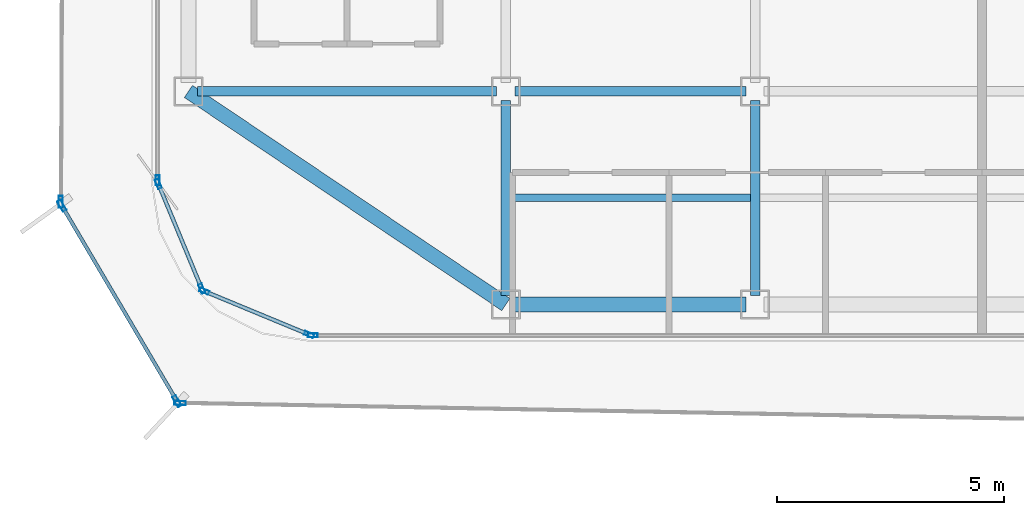
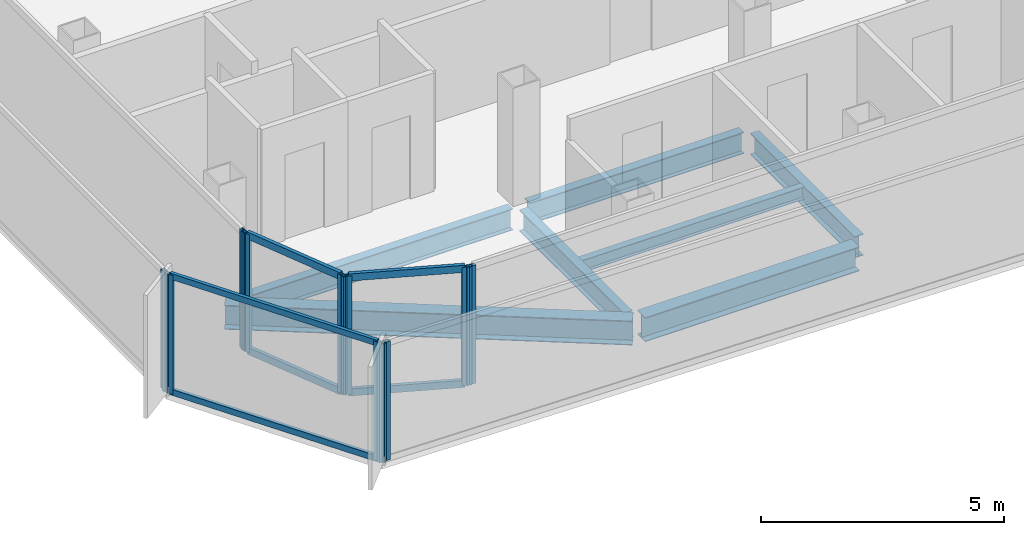
# One storey, part 2 of 15: 16 members, 7 beams, 7 elements without a shape of their own.
"""IFC4 building model written with IfcOpenShell, lengths in metres."""

from ifc_helpers import new_model, si_unit, direction, frame, origin, origin_2d, place, context, subcontext, project, spatial, hollow_rectangle, i_section, extrude, source, transform, mapped, material, layer, layer_set, material_profile, profile_set, type_object, element, aggregate, save


model = new_model("IFC4")

# Units and contexts
model_context = context("Model", 3, precision=1e-05, world=origin(), true_north=direction((0.0, 1.0)))
body_context = subcontext(model_context, "Body", "Model", "MODEL_VIEW")
ifc_project = project(units=[si_unit("LENGTHUNIT", "METRE"), si_unit("AREAUNIT", "SQUARE_METRE"), si_unit("VOLUMEUNIT", "CUBIC_METRE"), si_unit("PLANEANGLEUNIT", "RADIAN"), si_unit("MASSUNIT", "GRAM", prefix="KILO")], contexts=[model_context])

# Site, building, storey
site_placement = place(None, origin())
site = spatial("IfcSite", under=ifc_project, at=site_placement, CompositionType="ELEMENT")
building_placement = place(site_placement, origin())
building = spatial("IfcBuilding", under=site, at=building_placement, Name="Kolveth Station Tower", CompositionType="ELEMENT")
storey_placement = place(building_placement, frame((0.0, 0.0, 242.5)))
storey = spatial("IfcBuildingStorey", under=building, at=storey_placement, Name="L69", CompositionType="ELEMENT", Elevation=242.5)

# Beams
ifc_material_1 = material(Name="Steel S355", Category="steel")
ifc_material_profile_1 = material_profile(ifc_material_1, i_section(OverallWidth=0.323974609375, OverallDepth=0.611083984375, WebThickness=0.0126953125, FlangeThickness=0.01904296875, at=origin_2d()), Name="W610x155")
ifc_profile_set_1 = profile_set([ifc_material_profile_1], Name="Steel S355")
beam_type_1 = type_object("IfcBeamType", Name="Beam_SP2", PredefinedType="SPANDREL", material=ifc_profile_set_1)
shared_shape_1 = source(origin(), body_context, "Body", "SweptSolid", [
    extrude(i_section(OverallWidth=0.323974609375, OverallDepth=0.611083984375, WebThickness=0.0126953125, FlangeThickness=0.01904296875, at=origin_2d()), origin(), (0.0, 0.0, 1.0), 8.431396484375),
])
beam_1_placement = place(storey_placement, frame((6.0, 5.5, -0.525390625), z_axis=(0.830223811004, -0.557430196206, 0.0), x_axis=(0.557430196206, 0.830223811004, 0.0)))
element("IfcBeam", 1, at=beam_1_placement, inside=storey, type_object=beam_type_1, Name="L69 Corner Edge Girder BM-L69-CNR-SW", PredefinedType="SPANDREL", context=body_context, shape_type="MappedRepresentation", body=[
    mapped(shared_shape_1, transform((0.0, 0.0, 0.0), x_axis=(1.0, 0.0, 0.0), y_axis=(0.0, 1.0, 0.0), z_axis=(0.0, 0.0, 1.0), scale=1.0)),
])
shared_shape_2 = source(origin(), body_context, "Body", "SweptSolid", [
    extrude(i_section(OverallWidth=0.323974609375, OverallDepth=0.611083984375, WebThickness=0.0126953125, FlangeThickness=0.01904296875, at=origin_2d()), origin(), (0.0, 0.0, 1.0), 5.10009765625),
])
beam_2_placement = place(storey_placement, frame((13.199951171875, 0.800048828125, -0.525390625), z_axis=(1.0, 0.0, 0.0), x_axis=(0.0, 1.0, 0.0)))
element("IfcBeam", 2, at=beam_2_placement, inside=storey, type_object=beam_type_1, Name="L69 Perimeter Spandrel BM-L69-PS-1", PredefinedType="SPANDREL", context=body_context, shape_type="MappedRepresentation", body=[
    mapped(shared_shape_2, transform((0.0, 0.0, 0.0), x_axis=(1.0, 0.0, 0.0), y_axis=(0.0, 1.0, 0.0), z_axis=(0.0, 0.0, 1.0), scale=1.0)),
])
ifc_material_profile_2 = material_profile(ifc_material_1, i_section(OverallWidth=0.2099609375, OverallDepth=0.537109375, WebThickness=0.010986328125, FlangeThickness=0.017333984375, at=origin_2d()), Name="W530x101")
ifc_profile_set_2 = profile_set([ifc_material_profile_2], Name="Steel S355")
beam_type_2 = type_object("IfcBeamType", Name="Beam_B6", PredefinedType="BEAM", material=ifc_profile_set_2)
shared_shape_3 = source(origin(), body_context, "Body", "SweptSolid", [
    extrude(i_section(OverallWidth=0.2099609375, OverallDepth=0.537109375, WebThickness=0.010986328125, FlangeThickness=0.017333984375, at=origin_2d()), origin(), (0.0, 0.0, 1.0), 6.60009765625),
])
beam_3_placement = place(storey_placement, frame((6.199951171875, 5.5, -0.488525390625), z_axis=(1.0, 0.0, 0.0), x_axis=(0.0, 1.0, 0.0)))
element("IfcBeam", 3, at=beam_3_placement, inside=storey, type_object=beam_type_2, Name="L69 Primary Girder BM-L69-GY55-1", PredefinedType="BEAM", context=body_context, shape_type="MappedRepresentation", body=[
    mapped(shared_shape_3, transform((0.0, 0.0, 0.0), x_axis=(1.0, 0.0, 0.0), y_axis=(0.0, 1.0, 0.0), z_axis=(0.0, 0.0, 1.0), scale=1.0)),
])
shared_shape_4 = source(origin(), body_context, "Body", "SweptSolid", [
    extrude(i_section(OverallWidth=0.2099609375, OverallDepth=0.537109375, WebThickness=0.010986328125, FlangeThickness=0.017333984375, at=origin_2d()), origin(), (0.0, 0.0, 1.0), 5.10009765625),
])
beam_4_placement = place(storey_placement, frame((13.199951171875, 5.5, -0.488525390625), z_axis=(1.0, 0.0, 0.0), x_axis=(0.0, 1.0, 0.0)))
element("IfcBeam", 4, at=beam_4_placement, inside=storey, type_object=beam_type_2, Name="L69 Primary Girder BM-L69-GY55-2", PredefinedType="BEAM", context=body_context, shape_type="MappedRepresentation", body=[
    mapped(shared_shape_4, transform((0.0, 0.0, 0.0), x_axis=(1.0, 0.0, 0.0), y_axis=(0.0, 1.0, 0.0), z_axis=(0.0, 0.0, 1.0), scale=1.0)),
])
shared_shape_5 = source(origin(), body_context, "Body", "SweptSolid", [
    extrude(i_section(OverallWidth=0.2099609375, OverallDepth=0.537109375, WebThickness=0.010986328125, FlangeThickness=0.017333984375, at=origin_2d()), origin(), (0.0, 0.0, 1.0), 4.300048828125),
])
for number, where, z_axis, x_axis, name in (
    (5, (13.0, 1.0, -0.488525390625), (0.0, 1.0, 0.0), (-1.0, 0.0, 0.0), "L69 Primary Girder BM-L69-GX130-1"),
    (6, (18.5, 1.0, -0.488525390625), (0.0, 1.0, 0.0), (-1.0, 0.0, 0.0), "L69 Primary Girder BM-L69-GX185-1"),
):
    element("IfcBeam", number, at=place(storey_placement, frame(where, z_axis=z_axis, x_axis=x_axis)), inside=storey, type_object=beam_type_2, Name=name, PredefinedType="BEAM", context=body_context, shape_type="MappedRepresentation", body=[
        mapped(shared_shape_5, transform((0.0, 0.0, 0.0), x_axis=(1.0, 0.0, 0.0), y_axis=(0.0, 1.0, 0.0), z_axis=(0.0, 0.0, 1.0), scale=1.0)),
    ])
ifc_material_profile_3 = material_profile(ifc_material_1, i_section(OverallWidth=0.1650390625, OverallDepth=0.31005859375, WebThickness=0.005859375, FlangeThickness=0.009765625, at=origin_2d()), Name="W310x39")
ifc_profile_set_3 = profile_set([ifc_material_profile_3], Name="Steel S355")
beam_type_3 = type_object("IfcBeamType", Name="Beam_J3", PredefinedType="JOIST", material=ifc_profile_set_3)
shared_shape_6 = source(origin(), body_context, "Body", "SweptSolid", [
    extrude(i_section(OverallWidth=0.1650390625, OverallDepth=0.31005859375, WebThickness=0.005859375, FlangeThickness=0.009765625, at=origin_2d()), origin(), (0.0, 0.0, 1.0), 5.2939453125),
])
beam_5_placement = place(storey_placement, frame((13.10302734375, 3.14990234375, -0.375), z_axis=(1.0, 0.0, 0.0), x_axis=(0.0, 1.0, 0.0)))
element("IfcBeam", 7, at=beam_5_placement, inside=storey, type_object=beam_type_3, Name="L69 Secondary Joist JST-L69-2-1", PredefinedType="JOIST", context=body_context, shape_type="MappedRepresentation", body=[
    mapped(shared_shape_6, transform((0.0, 0.0, 0.0), x_axis=(1.0, 0.0, 0.0), y_axis=(0.0, 1.0, 0.0), z_axis=(0.0, 0.0, 1.0), scale=1.0)),
])

# Curtain wall, member
ifc_material_2 = material(Name="Black anodized aluminium 6063-T6 and dark solar glass", Category="aluminium")
ifc_layer_1 = layer(ifc_material_2, 0.159912109375)
ifc_layer_set_1 = layer_set([ifc_layer_1], Name="Black anodized aluminium 6063-T6 and dark solar glass")
curtain_wall_type_1 = type_object("IfcCurtainWallType", Name="OUTER SKIN CW-OS", PredefinedType="NOTDEFINED", material=ifc_layer_set_1)
curtain_wall_1_placement = place(storey_placement, origin())
curtain_wall_1 = element("IfcCurtainWall", 8, at=curtain_wall_1_placement, inside=storey, type_object=curtain_wall_type_1, Name="L69 Outer Ventilated Skin Curtain Wall 6", PredefinedType="NOTDEFINED")
ifc_material_3 = material(Name="Black anodized aluminium 6063-T6", Category="aluminium")
ifc_material_profile_4 = material_profile(ifc_material_3, hollow_rectangle(XDim=0.090087890625, YDim=0.260009765625, WallThickness=0.0048828125, at=origin_2d()), Name="ALU-90x260x5")
ifc_profile_set_4 = profile_set([ifc_material_profile_4], Name="Black anodized aluminium 6063-T6")
member_type_1 = type_object("IfcMemberType", Name="FIN MULLION ML-OS", PredefinedType="MULLION", material=ifc_profile_set_4)
shared_shape_7 = source(origin(), body_context, "Body", "SweptSolid", [
    extrude(hollow_rectangle(XDim=0.090087890625, YDim=0.260009765625, WallThickness=0.0048828125, at=origin_2d()), origin(), (0.0, 0.0, 1.0), 2.989990234375),
])
member_1_placement = place(storey_placement, frame((3.18359375, 3.064697265625, 0.0), z_axis=(0.0, 0.0, 1.0), x_axis=(0.999991741337, -0.004064142908, 0.0)))
member_1 = element("IfcMember", 9, at=member_1_placement, type_object=member_type_1, Name="CW-OS mullion 2", PredefinedType="MULLION", context=body_context, shape_type="MappedRepresentation", body=[
    mapped(shared_shape_7, transform((0.0, 0.0, 0.0), x_axis=(1.0, 0.0, 0.0), y_axis=(0.0, 1.0, 0.0), z_axis=(0.0, 0.0, 1.0), scale=1.0)),
])
aggregate(curtain_wall_1, [member_1])

# Curtain wall, members
curtain_wall_2_placement = place(storey_placement, origin())
curtain_wall_2 = element("IfcCurtainWall", 10, at=curtain_wall_2_placement, inside=storey, type_object=curtain_wall_type_1, Name="L69 Outer Ventilated Skin Curtain Wall 7", PredefinedType="NOTDEFINED")
member_2_placement = place(storey_placement, frame((3.206298828125, 2.980712890625, 0.0), z_axis=(0.0, 0.0, 1.0), x_axis=(0.861672355657, 0.507465024899, 0.0)))
member_2 = element("IfcMember", 11, at=member_2_placement, type_object=member_type_1, Name="CW-OS mullion 1", PredefinedType="MULLION", context=body_context, shape_type="MappedRepresentation", body=[
    mapped(shared_shape_7, transform((0.0, 0.0, 0.0), x_axis=(1.0, 0.0, 0.0), y_axis=(0.0, 1.0, 0.0), z_axis=(0.0, 0.0, 1.0), scale=1.0)),
])
member_3_placement = place(storey_placement, frame((5.747314453125, -1.333740234375, 0.0), z_axis=(0.0, 0.0, 1.0), x_axis=(0.861672355657, 0.507465024899, 0.0)))
member_3 = element("IfcMember", 12, at=member_3_placement, type_object=member_type_1, Name="CW-OS mullion 2", PredefinedType="MULLION", context=body_context, shape_type="MappedRepresentation", body=[
    mapped(shared_shape_7, transform((0.0, 0.0, 0.0), x_axis=(1.0, 0.0, 0.0), y_axis=(0.0, 1.0, 0.0), z_axis=(0.0, 0.0, 1.0), scale=1.0)),
])

# Curtain wall, member
curtain_wall_3_placement = place(storey_placement, origin())
curtain_wall_3 = element("IfcCurtainWall", 13, at=curtain_wall_3_placement, inside=storey, type_object=curtain_wall_type_1, Name="L69 Outer Ventilated Skin Curtain Wall 8", PredefinedType="NOTDEFINED")
member_4_placement = place(storey_placement, frame((5.815185546875, -1.37353515625, 0.0), z_axis=(0.0, 0.0, 1.0), x_axis=(0.018787243741, 0.999823504161, 0.0)))
member_4 = element("IfcMember", 14, at=member_4_placement, type_object=member_type_1, Name="CW-OS mullion 1", PredefinedType="MULLION", context=body_context, shape_type="MappedRepresentation", body=[
    mapped(shared_shape_7, transform((0.0, 0.0, 0.0), x_axis=(1.0, 0.0, 0.0), y_axis=(0.0, 1.0, 0.0), z_axis=(0.0, 0.0, 1.0), scale=1.0)),
])
aggregate(curtain_wall_3, [member_4])

ifc_material_4 = material(Name="Aluminium 6063-T6 and triple low-E dark glass", Category="aluminium")
ifc_layer_2 = layer(ifc_material_4, 0.199951171875)
ifc_layer_set_2 = layer_set([ifc_layer_2], Name="Aluminium 6063-T6 and triple low-E dark glass")
curtain_wall_type_2 = type_object("IfcCurtainWallType", Name="CurtainWall_CW-Z3", PredefinedType="NOTDEFINED", material=ifc_layer_set_2)
curtain_wall_4_placement = place(storey_placement, origin())
curtain_wall_4 = element("IfcCurtainWall", 15, at=curtain_wall_4_placement, inside=storey, type_object=curtain_wall_type_2, Name="L69 Inner Thermal Curtain Wall 9", PredefinedType="NOTDEFINED")
ifc_material_profile_5 = material_profile(ifc_material_3, hollow_rectangle(XDim=0.0849609375, YDim=0.215087890625, WallThickness=0.0048828125, at=origin_2d()), Name="ALU-85x215x5")
ifc_profile_set_5 = profile_set([ifc_material_profile_5], Name="Black anodized aluminium 6063-T6")
member_type_2 = type_object("IfcMemberType", Name="Mullion_ML3", PredefinedType="MULLION", material=ifc_profile_set_5)
shared_shape_8 = source(origin(), body_context, "Body", "SweptSolid", [
    extrude(hollow_rectangle(XDim=0.0849609375, YDim=0.215087890625, WallThickness=0.0048828125, at=origin_2d()), origin(), (0.0, 0.0, 1.0), 2.97998046875),
])
member_5_placement = place(storey_placement, frame((5.320068359375, 3.54248046875, 0.0), z_axis=(0.0, 0.0, 1.0), x_axis=(1.0, 0.0, 0.0)))
member_5 = element("IfcMember", 16, at=member_5_placement, type_object=member_type_2, Name="CW-Z3 mullion 2", PredefinedType="MULLION", context=body_context, shape_type="MappedRepresentation", body=[
    mapped(shared_shape_8, transform((0.0, 0.0, 0.0), x_axis=(1.0, 0.0, 0.0), y_axis=(0.0, 1.0, 0.0), z_axis=(0.0, 0.0, 1.0), scale=1.0)),
])
aggregate(curtain_wall_4, [member_5])

# Curtain wall, members
curtain_wall_5_placement = place(storey_placement, origin())
curtain_wall_5 = element("IfcCurtainWall", 17, at=curtain_wall_5_placement, inside=storey, type_object=curtain_wall_type_2, Name="L69 Inner Thermal Curtain Wall 10", PredefinedType="NOTDEFINED")
member_6_placement = place(storey_placement, frame((5.336181640625, 3.460693359375, 0.0), z_axis=(0.0, 0.0, 1.0), x_axis=(0.923875488975, 0.382693194181, 0.0)))
member_6 = element("IfcMember", 18, at=member_6_placement, type_object=member_type_2, Name="CW-Z3 mullion 1", PredefinedType="MULLION", context=body_context, shape_type="MappedRepresentation", body=[
    mapped(shared_shape_8, transform((0.0, 0.0, 0.0), x_axis=(1.0, 0.0, 0.0), y_axis=(0.0, 1.0, 0.0), z_axis=(0.0, 0.0, 1.0), scale=1.0)),
])
member_7_placement = place(storey_placement, frame((6.293701171875, 1.149169921875, 0.0), z_axis=(0.0, 0.0, 1.0), x_axis=(0.923875488975, 0.382693194181, 0.0)))
member_7 = element("IfcMember", 19, at=member_7_placement, type_object=member_type_2, Name="CW-Z3 mullion 2", PredefinedType="MULLION", context=body_context, shape_type="MappedRepresentation", body=[
    mapped(shared_shape_8, transform((0.0, 0.0, 0.0), x_axis=(1.0, 0.0, 0.0), y_axis=(0.0, 1.0, 0.0), z_axis=(0.0, 0.0, 1.0), scale=1.0)),
])

curtain_wall_6_placement = place(storey_placement, origin())
curtain_wall_6 = element("IfcCurtainWall", 20, at=curtain_wall_6_placement, inside=storey, type_object=curtain_wall_type_2, Name="L69 Inner Thermal Curtain Wall 11", PredefinedType="NOTDEFINED")
member_8_placement = place(storey_placement, frame((6.349365234375, 1.09375, 0.0), z_axis=(0.0, 0.0, 1.0), x_axis=(0.382693194181, 0.923875488975, 0.0)))
member_8 = element("IfcMember", 21, at=member_8_placement, type_object=member_type_2, Name="CW-Z3 mullion 1", PredefinedType="MULLION", context=body_context, shape_type="MappedRepresentation", body=[
    mapped(shared_shape_8, transform((0.0, 0.0, 0.0), x_axis=(1.0, 0.0, 0.0), y_axis=(0.0, 1.0, 0.0), z_axis=(0.0, 0.0, 1.0), scale=1.0)),
])
member_9_placement = place(storey_placement, frame((8.66064453125, 0.13623046875, 0.0), z_axis=(0.0, 0.0, 1.0), x_axis=(0.382693194181, 0.923875488975, 0.0)))
member_9 = element("IfcMember", 22, at=member_9_placement, type_object=member_type_2, Name="CW-Z3 mullion 2", PredefinedType="MULLION", context=body_context, shape_type="MappedRepresentation", body=[
    mapped(shared_shape_8, transform((0.0, 0.0, 0.0), x_axis=(1.0, 0.0, 0.0), y_axis=(0.0, 1.0, 0.0), z_axis=(0.0, 0.0, 1.0), scale=1.0)),
])

# Curtain wall, member
curtain_wall_7_placement = place(storey_placement, origin())
curtain_wall_7 = element("IfcCurtainWall", 23, at=curtain_wall_7_placement, inside=storey, type_object=curtain_wall_type_2, Name="L69 Inner Thermal Curtain Wall 12", PredefinedType="NOTDEFINED")
member_10_placement = place(storey_placement, frame((8.742431640625, 0.1201171875, 0.0), z_axis=(0.0, 0.0, 1.0), x_axis=(0.0, 1.0, 0.0)))
member_10 = element("IfcMember", 24, at=member_10_placement, type_object=member_type_2, Name="CW-Z3 mullion 1", PredefinedType="MULLION", context=body_context, shape_type="MappedRepresentation", body=[
    mapped(shared_shape_8, transform((0.0, 0.0, 0.0), x_axis=(1.0, 0.0, 0.0), y_axis=(0.0, 1.0, 0.0), z_axis=(0.0, 0.0, 1.0), scale=1.0)),
])
aggregate(curtain_wall_7, [member_10])

# Member
ifc_material_profile_6 = material_profile(ifc_material_3, hollow_rectangle(XDim=0.0849609375, YDim=0.179931640625, WallThickness=0.0048828125, at=origin_2d()), Name="ALU-85x180x5")
ifc_profile_set_6 = profile_set([ifc_material_profile_6], Name="Black anodized aluminium 6063-T6")
member_type_3 = type_object("IfcMemberType", Name="Transom_TR3", PredefinedType="USERDEFINED", material=ifc_profile_set_6)
shared_shape_9 = source(origin(), body_context, "Body", "SweptSolid", [
    extrude(hollow_rectangle(XDim=0.0849609375, YDim=0.179931640625, WallThickness=0.0048828125, at=origin_2d()), origin(), (0.0, 0.0, 1.0), 2.4169921875),
])
member_11_placement = place(storey_placement, frame((5.3525390625, 3.42138671875, 0.04248046875), z_axis=(0.382735401206, -0.9238580046, 0.0), x_axis=(0.9238580046, 0.382735401206, 0.0)))
member_11 = element("IfcMember", 25, at=member_11_placement, type_object=member_type_3, Name="CW-Z3 transom 1.1", ObjectType="TRANSOM", PredefinedType="USERDEFINED", context=body_context, shape_type="MappedRepresentation", body=[
    mapped(shared_shape_9, transform((0.0, 0.0, 0.0), x_axis=(1.0, 0.0, 0.0), y_axis=(0.0, 1.0, 0.0), z_axis=(0.0, 0.0, 1.0), scale=1.0)),
])

member_12_placement = place(storey_placement, frame((5.3525390625, 3.42138671875, 2.9375), z_axis=(0.382735401206, -0.9238580046, 0.0), x_axis=(0.9238580046, 0.382735401206, 0.0)))
member_12 = element("IfcMember", 26, at=member_12_placement, type_object=member_type_3, Name="CW-Z3 transom 1.2", ObjectType="TRANSOM", PredefinedType="USERDEFINED", context=body_context, shape_type="MappedRepresentation", body=[
    mapped(shared_shape_9, transform((0.0, 0.0, 0.0), x_axis=(1.0, 0.0, 0.0), y_axis=(0.0, 1.0, 0.0), z_axis=(0.0, 0.0, 1.0), scale=1.0)),
])

aggregate(curtain_wall_5, [member_6, member_7, member_11, member_12])

member_13_placement = place(storey_placement, frame((6.388427734375, 1.077392578125, 0.04248046875), z_axis=(0.923908507952, -0.382613471971, 0.0), x_axis=(0.382613471971, 0.923908507952, 0.0)))
member_13 = element("IfcMember", 27, at=member_13_placement, type_object=member_type_3, Name="CW-Z3 transom 1.1", ObjectType="TRANSOM", PredefinedType="USERDEFINED", context=body_context, shape_type="MappedRepresentation", body=[
    mapped(shared_shape_9, transform((0.0, 0.0, 0.0), x_axis=(1.0, 0.0, 0.0), y_axis=(0.0, 1.0, 0.0), z_axis=(0.0, 0.0, 1.0), scale=1.0)),
])

member_14_placement = place(storey_placement, frame((6.388427734375, 1.077392578125, 2.9375), z_axis=(0.923908507952, -0.382613471971, 0.0), x_axis=(0.382613471971, 0.923908507952, 0.0)))
member_14 = element("IfcMember", 28, at=member_14_placement, type_object=member_type_3, Name="CW-Z3 transom 1.2", ObjectType="TRANSOM", PredefinedType="USERDEFINED", context=body_context, shape_type="MappedRepresentation", body=[
    mapped(shared_shape_9, transform((0.0, 0.0, 0.0), x_axis=(1.0, 0.0, 0.0), y_axis=(0.0, 1.0, 0.0), z_axis=(0.0, 0.0, 1.0), scale=1.0)),
])

aggregate(curtain_wall_6, [member_8, member_9, member_13, member_14])

ifc_material_profile_7 = material_profile(ifc_material_3, hollow_rectangle(XDim=0.080078125, YDim=0.14990234375, WallThickness=0.0048828125, at=origin_2d()), Name="ALU-80x150x5")
ifc_profile_set_7 = profile_set([ifc_material_profile_7], Name="Black anodized aluminium 6063-T6")
member_type_4 = type_object("IfcMemberType", Name="Transom_TR-OS", PredefinedType="USERDEFINED", material=ifc_profile_set_7)
shared_shape_10 = source(origin(), body_context, "Body", "SweptSolid", [
    extrude(hollow_rectangle(XDim=0.080078125, YDim=0.14990234375, WallThickness=0.0048828125, at=origin_2d()), origin(), (0.0, 0.0, 1.0), 4.91748046875),
])
member_15_placement = place(storey_placement, frame((3.22900390625, 2.942138671875, 0.0400390625), z_axis=(0.507447492518, -0.861682680769, 0.0), x_axis=(0.861682680769, 0.507447492518, 0.0)))
member_15 = element("IfcMember", 29, at=member_15_placement, type_object=member_type_4, Name="CW-OS transom 1.1", ObjectType="TRANSOM", PredefinedType="USERDEFINED", context=body_context, shape_type="MappedRepresentation", body=[
    mapped(shared_shape_10, transform((0.0, 0.0, 0.0), x_axis=(1.0, 0.0, 0.0), y_axis=(0.0, 1.0, 0.0), z_axis=(0.0, 0.0, 1.0), scale=1.0)),
])

member_16_placement = place(storey_placement, frame((3.22900390625, 2.942138671875, 2.949951171875), z_axis=(0.507447492518, -0.861682680769, 0.0), x_axis=(0.861682680769, 0.507447492518, 0.0)))
member_16 = element("IfcMember", 30, at=member_16_placement, type_object=member_type_4, Name="CW-OS transom 1.2", ObjectType="TRANSOM", PredefinedType="USERDEFINED", context=body_context, shape_type="MappedRepresentation", body=[
    mapped(shared_shape_10, transform((0.0, 0.0, 0.0), x_axis=(1.0, 0.0, 0.0), y_axis=(0.0, 1.0, 0.0), z_axis=(0.0, 0.0, 1.0), scale=1.0)),
])

aggregate(curtain_wall_2, [member_2, member_3, member_15, member_16])

save(model, "model.ifc")
